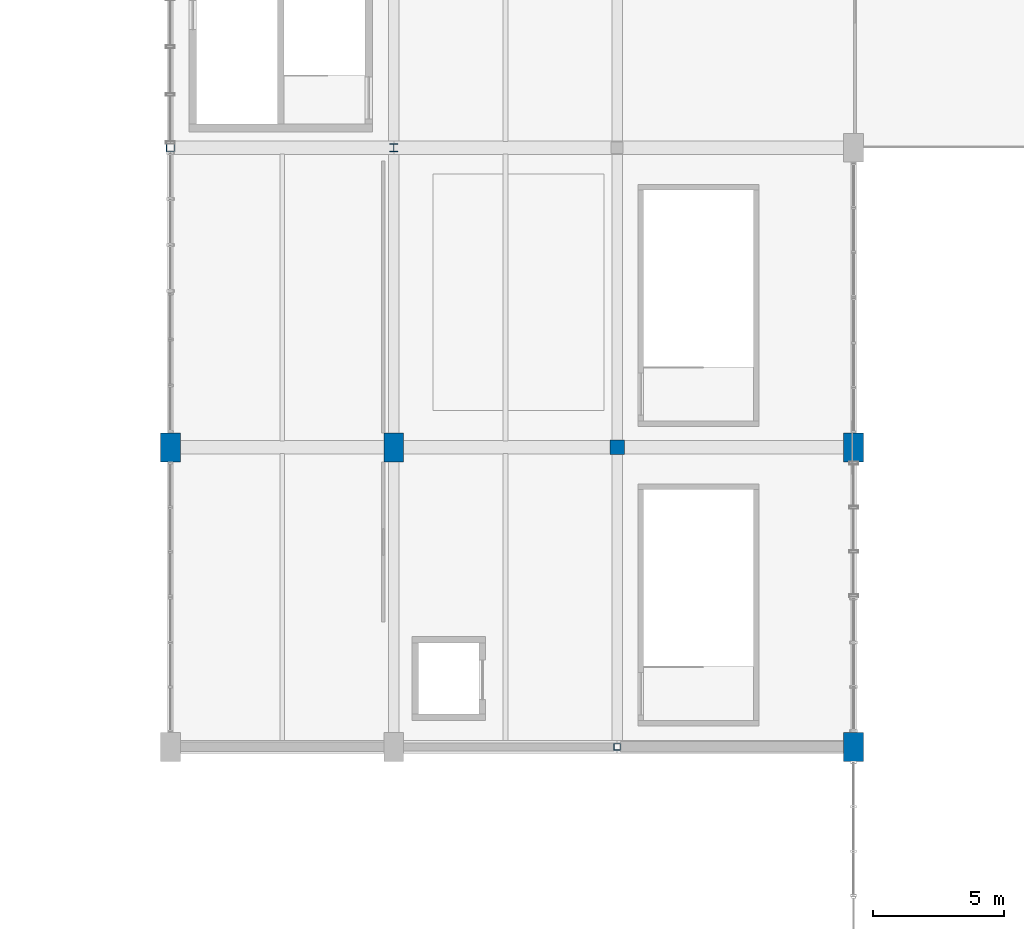
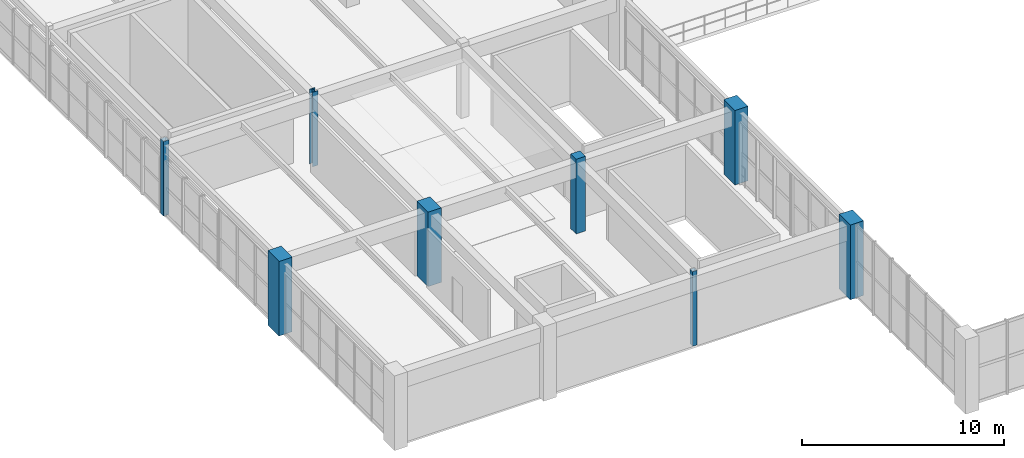
# One storey, part 6 of 80: 8 columns.
"""IFC4 building model written with IfcOpenShell, lengths in metres."""

from ifc_helpers import new_model, si_unit, direction, frame, origin, origin_2d, place, context, subcontext, project, spatial, rectangle, hollow_rectangle, i_section, extrude, material, material_profile, profile_set, type_object, element, save


model = new_model("IFC4")

# Units and contexts
model_context = context("Model", 3, precision=1e-05, world=origin(), true_north=direction((0.0, 1.0)))
body_context = subcontext(model_context, "Body", "Model", "MODEL_VIEW")
ifc_project = project(units=[si_unit("LENGTHUNIT", "METRE"), si_unit("AREAUNIT", "SQUARE_METRE"), si_unit("VOLUMEUNIT", "CUBIC_METRE"), si_unit("PLANEANGLEUNIT", "RADIAN"), si_unit("MASSUNIT", "GRAM", prefix="KILO"), si_unit("POWERUNIT", "WATT"), si_unit("THERMODYNAMICTEMPERATUREUNIT", "KELVIN")], contexts=[model_context])

# Site, building, storey
site_placement = place(None, origin())
site = spatial("IfcSite", under=ifc_project, at=site_placement, CompositionType="ELEMENT")
building_placement = place(site_placement, origin())
building = spatial("IfcBuilding", under=site, at=building_placement, Name="Kelmbourne Parkland Aquatics Centre", CompositionType="ELEMENT")
storey_placement = place(building_placement, frame((0.0, 0.0, 10.199951171875)))
storey = spatial("IfcBuildingStorey", under=building, at=storey_placement, Name="L02", CompositionType="ELEMENT", Elevation=10.199951171875)

# Columns
ifc_material_1 = material(Name="Concrete C40/50", Category="concrete")
ifc_material_profile_1 = material_profile(ifc_material_1, rectangle(XDim=0.75, YDim=1.10009765625, at=origin_2d()), Name="RC 750x1100")
ifc_profile_set_1 = profile_set([ifc_material_profile_1], Name="Concrete C40/50")
column_type_1 = type_object("IfcColumnType", Name="COL-C03", PredefinedType="COLUMN", material=ifc_profile_set_1)
for number, where, z_axis, x_axis, name in (
    (1, (102.0, 23.60009765625, 0.0), (0.0, 0.0, 1.0), (1.0, 0.0, 0.0), "Structural column M-04 (L02)"),
    (2, (110.5, 23.60009765625, 0.0), (0.0, 0.0, 1.0), (1.0, 0.0, 0.0), "Structural column N-04 (L02)"),
    (3, (128.0, 12.199951171875, 0.0), (0.0, 0.0, 1.0), (1.0, 0.0, 0.0), "Structural column P-03 (L02)"),
    (4, (128.0, 23.60009765625, 0.0), (0.0, 0.0, 1.0), (1.0, 0.0, 0.0), "Structural column P-04 (L02)"),
):
    element("IfcColumn", number, at=place(storey_placement, frame(where, z_axis=z_axis, x_axis=x_axis)), inside=storey, type_object=column_type_1, Name=name, PredefinedType="COLUMN", context=body_context, shape_type="SweptSolid", body=[
        extrude(rectangle(XDim=0.75, YDim=1.10009765625, at=origin_2d()), origin(), (0.0, 0.0, 1.0), 4.5),
    ])
ifc_material_profile_2 = material_profile(ifc_material_1, rectangle(XDim=0.550048828125, YDim=0.550048828125, at=origin_2d()), Name="RC 550x550")
ifc_profile_set_2 = profile_set([ifc_material_profile_2], Name="Concrete C40/50")
column_type_2 = type_object("IfcColumnType", Name="COL-C07", PredefinedType="COLUMN", material=ifc_profile_set_2)
column_1_placement = place(storey_placement, frame((119.0, 23.60009765625, 0.0), z_axis=(0.0, 0.0, 1.0), x_axis=(1.0, 0.0, 0.0)))
element("IfcColumn", 5, at=column_1_placement, inside=storey, type_object=column_type_2, Name="Structural column O-04 (L02)", PredefinedType="COLUMN", context=body_context, shape_type="SweptSolid", body=[
    extrude(rectangle(XDim=0.550048828125, YDim=0.550048828125, at=origin_2d()), origin(), (0.0, 0.0, 1.0), 4.5),
])
ifc_material_2 = material(Name="Structural steel AS/NZS 3679.1 Grade 300", Category="steel")
ifc_material_profile_3 = material_profile(ifc_material_2, i_section(OverallWidth=0.30908203125, OverallDepth=0.321044921875, WebThickness=0.013916015625, FlangeThickness=0.021728515625, at=origin_2d()), Name="310UC137")
ifc_profile_set_3 = profile_set([ifc_material_profile_3], Name="Structural steel AS/NZS 3679.1 Grade 300")
column_type_3 = type_object("IfcColumnType", Name="COL-C15", PredefinedType="COLUMN", material=ifc_profile_set_3)
column_2_placement = place(storey_placement, frame((110.5, 35.0, 0.0), z_axis=(0.0, 0.0, 1.0), x_axis=(1.0, 0.0, 0.0)))
element("IfcColumn", 6, at=column_2_placement, inside=storey, type_object=column_type_3, Name="Structural column N-05 (L02)", PredefinedType="COLUMN", context=body_context, shape_type="SweptSolid", body=[
    extrude(i_section(OverallWidth=0.30908203125, OverallDepth=0.321044921875, WebThickness=0.013916015625, FlangeThickness=0.021728515625, at=origin_2d()), origin(), (0.0, 0.0, 1.0), 4.5),
])
ifc_material_3 = material(Name="Cold-formed hollow steel AS/NZS 1163 C350L0", Category="steel")
ifc_material_profile_4 = material_profile(ifc_material_3, hollow_rectangle(XDim=0.300048828125, YDim=0.300048828125, WallThickness=0.012451171875, at=origin_2d()), Name="SHS 300x300x12.5")
ifc_profile_set_4 = profile_set([ifc_material_profile_4], Name="Cold-formed hollow steel AS/NZS 1163 C350L0")
column_type_4 = type_object("IfcColumnType", Name="COL-C22", PredefinedType="COLUMN", material=ifc_profile_set_4)
column_3_placement = place(storey_placement, frame((102.0, 35.0, 0.0), z_axis=(0.0, 0.0, 1.0), x_axis=(1.0, 0.0, 0.0)))
element("IfcColumn", 7, at=column_3_placement, inside=storey, type_object=column_type_4, Name="Structural column M-05 (L02)", PredefinedType="COLUMN", context=body_context, shape_type="SweptSolid", body=[
    extrude(hollow_rectangle(XDim=0.300048828125, YDim=0.300048828125, WallThickness=0.012451171875, at=origin_2d()), origin(), (0.0, 0.0, 1.0), 4.5),
])
ifc_material_profile_5 = material_profile(ifc_material_3, hollow_rectangle(XDim=0.25, YDim=0.25, WallThickness=0.012451171875, at=origin_2d()), Name="SHS 250x250x12.5")
ifc_profile_set_5 = profile_set([ifc_material_profile_5], Name="Cold-formed hollow steel AS/NZS 1163 C350L0")
column_type_5 = type_object("IfcColumnType", Name="COL-C23", PredefinedType="COLUMN", material=ifc_profile_set_5)
column_4_placement = place(storey_placement, frame((119.0, 12.199951171875, 0.0), z_axis=(0.0, 0.0, 1.0), x_axis=(1.0, 0.0, 0.0)))
element("IfcColumn", 8, at=column_4_placement, inside=storey, type_object=column_type_5, Name="Structural column O-03 (L02)", PredefinedType="COLUMN", context=body_context, shape_type="SweptSolid", body=[
    extrude(hollow_rectangle(XDim=0.25, YDim=0.25, WallThickness=0.012451171875, at=origin_2d()), origin(), (0.0, 0.0, 1.0), 4.5),
])

save(model, "model.ifc")
